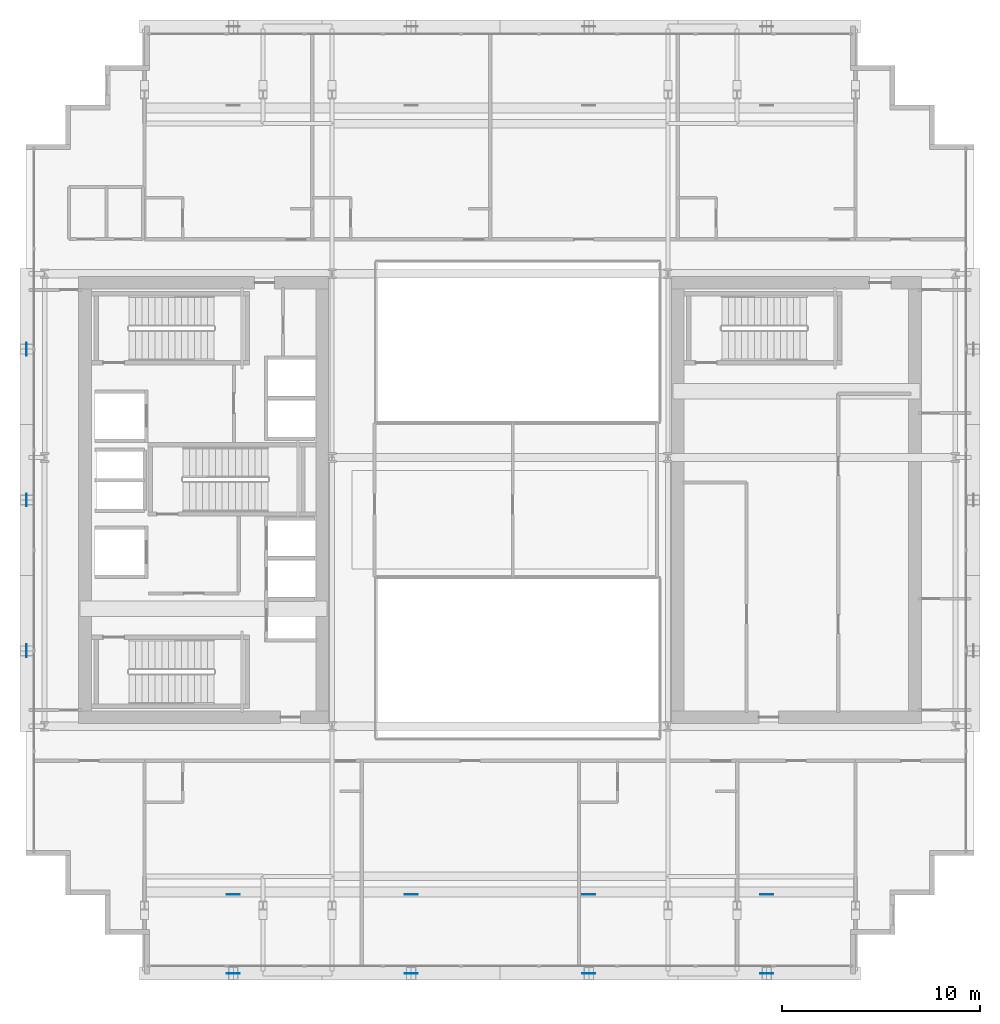
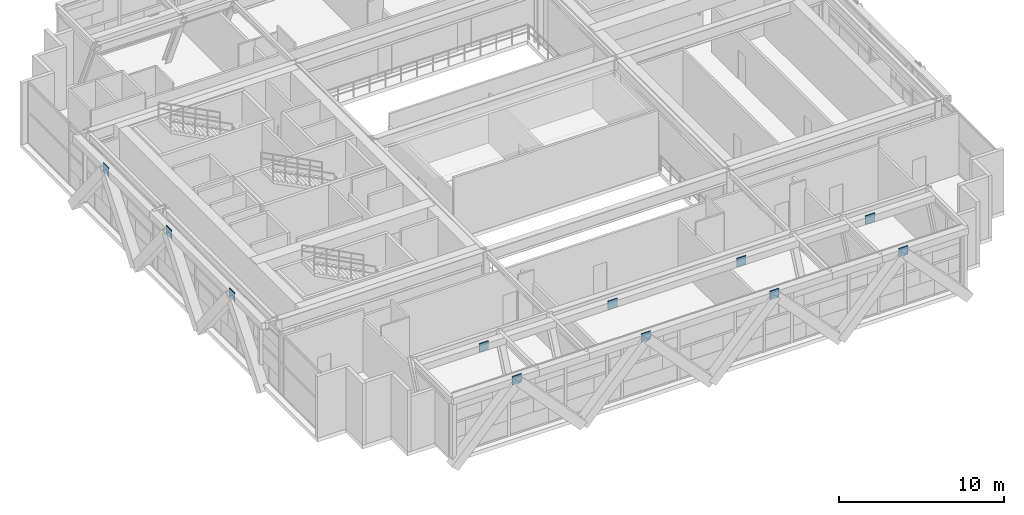
# One storey, part 26 of 35: 11 plates.
"""IFC4 building model written with IfcOpenShell, lengths in metres."""

from ifc_helpers import new_model, si_unit, direction, frame, origin, origin_2d, place, context, subcontext, project, spatial, rectangle, extrude, source, transform, mapped, material, layer, layer_set, type_object, element, save


model = new_model("IFC4")

# Units and contexts
model_context = context("Model", 3, precision=1e-05, world=origin(), true_north=direction((0.0, 1.0)))
body_context = subcontext(model_context, "Body", "Model", "MODEL_VIEW")
ifc_project = project(units=[si_unit("LENGTHUNIT", "METRE"), si_unit("AREAUNIT", "SQUARE_METRE"), si_unit("VOLUMEUNIT", "CUBIC_METRE"), si_unit("PLANEANGLEUNIT", "RADIAN"), si_unit("MASSUNIT", "GRAM", prefix="KILO")], contexts=[model_context])

# Site, building, storey
site_placement = place(None, origin())
site = spatial("IfcSite", under=ifc_project, at=site_placement, CompositionType="ELEMENT")
building_placement = place(site_placement, origin())
building = spatial("IfcBuilding", under=site, at=building_placement, Name="Ocotamira Hotel", CompositionType="ELEMENT")
storey_placement = place(building_placement, frame((0.0, 0.0, 158.39990234375)))
storey = spatial("IfcBuildingStorey", under=building, at=storey_placement, Name="L39", CompositionType="ELEMENT", Elevation=158.39990234375)

# Plates
ifc_material = material(Name="Pale-metal coated steel ASTM A572 Grade 50", Category="steel")
ifc_layer = layer(ifc_material, 0.0400390625)
ifc_layer_set = layer_set([ifc_layer], Name="Pale-metal coated steel ASTM A572 Grade 50")
plate_type = type_object("IfcPlateType", Name="PLT-GUSSET-40", PredefinedType="SHEET", material=ifc_layer_set)
shared_shape_1 = source(origin(), body_context, "Body", "SweptSolid", [
    extrude(rectangle(XDim=0.64990234375, YDim=0.0400390625, at=origin_2d()), origin(), (0.0, 0.0, 1.0), 0.64990234375),
])
for number, where, z_axis, x_axis, name in (
    (1, (18.5, 2.030029296875, 3.9951171875), (0.0, 0.0, 1.0), (1.0, 0.0, 0.0), "L39 Exoskeleton Diagrid S0.1 End Gusset B"),
    (2, (27.5, 2.030029296875, 3.9951171875), (0.0, 0.0, 1.0), (1.0, 0.0, 0.0), "L39 Exoskeleton Diagrid S1.1 End Gusset B"),
    (3, (36.5, 2.030029296875, 3.9951171875), (0.0, 0.0, 1.0), (1.0, 0.0, 0.0), "L39 Exoskeleton Diagrid S2.1 End Gusset B"),
    (4, (45.5, 2.030029296875, 3.9951171875), (0.0, 0.0, 1.0), (1.0, 0.0, 0.0), "L39 Exoskeleton Diagrid S3.1 End Gusset B"),
    (5, (18.5, 6.030029296875, 3.9951171875), (0.0, 0.0, 1.0), (-1.0, 0.0, 0.0), "L39 Exoskeleton Diagrid S0.1 End Gusset A"),
    (6, (27.5, 6.030029296875, 3.9951171875), (0.0, 0.0, 1.0), (-1.0, 0.0, 0.0), "L39 Exoskeleton Diagrid S1.1 End Gusset A"),
    (7, (36.5, 6.030029296875, 3.9951171875), (0.0, 0.0, 1.0), (-1.0, 0.0, 0.0), "L39 Exoskeleton Diagrid S2.1 End Gusset A"),
    (8, (45.5, 6.030029296875, 3.9951171875), (0.0, 0.0, 1.0), (-1.0, 0.0, 0.0), "L39 Exoskeleton Diagrid S3.1 End Gusset A"),
):
    element("IfcPlate", number, at=place(storey_placement, frame(where, z_axis=z_axis, x_axis=x_axis)), inside=storey, type_object=plate_type, Name=name, PredefinedType="SHEET", context=body_context, shape_type="MappedRepresentation", body=[
        mapped(shared_shape_1, transform((0.0, 0.0, 0.0), scale=1.0)),
    ])
shared_shape_2 = source(origin(), body_context, "Body", "SweptSolid", [
    extrude(rectangle(XDim=0.0400390625, YDim=0.64990234375, at=origin_2d()), origin(), (0.0, 0.0, 1.0), 0.64990234375),
])
for number, where, z_axis, x_axis, name in (
    (9, (8.030029296875, 18.36669921875, 3.9951171875), (0.0, 0.0, 1.0), (1.0, 0.0, 0.0), "L39 Exoskeleton Diagrid W0.1 End Gusset B"),
    (10, (8.030029296875, 26.0, 3.9951171875), (0.0, 0.0, 1.0), (1.0, 0.0, 0.0), "L39 Exoskeleton Diagrid W1.1 End Gusset B"),
    (11, (8.030029296875, 33.63330078125, 3.9951171875), (0.0, 0.0, 1.0), (1.0, 0.0, 0.0), "L39 Exoskeleton Diagrid W2.1 End Gusset B"),
):
    element("IfcPlate", number, at=place(storey_placement, frame(where, z_axis=z_axis, x_axis=x_axis)), inside=storey, type_object=plate_type, Name=name, PredefinedType="SHEET", context=body_context, shape_type="MappedRepresentation", body=[
        mapped(shared_shape_2, transform((0.0, 0.0, 0.0), scale=1.0)),
    ])

save(model, "model.ifc")
